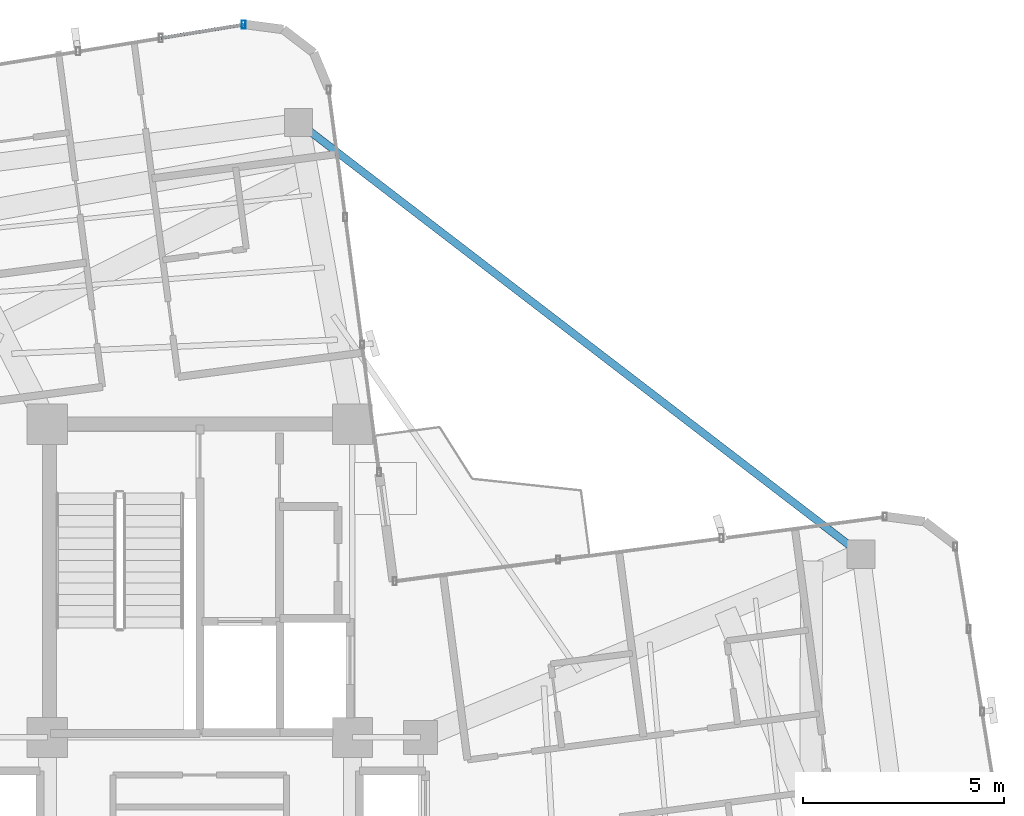
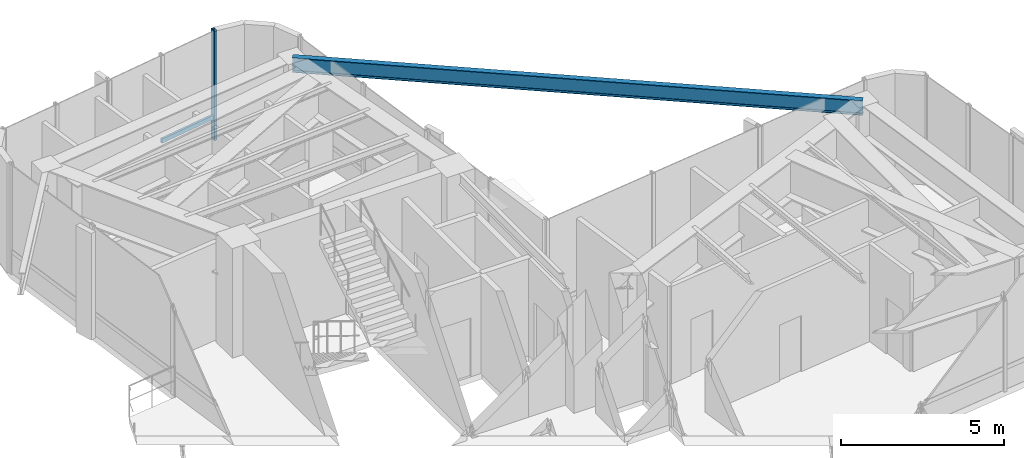
# One storey, part 11 of 18: 2 members, 1 beam, 1 element without a shape of its own.
"""IFC4 building model written with IfcOpenShell, lengths in metres."""

from ifc_helpers import new_model, si_unit, direction, frame, origin, origin_2d, place, context, subcontext, project, spatial, hollow_rectangle, i_section, extrude, source, transform, mapped, material, material_profile, profile_set, type_object, element, aggregate, save


model = new_model("IFC4")

# Units and contexts
model_context = context("Model", 3, precision=1e-05, world=origin(), true_north=direction((0.0, 1.0)))
body_context = subcontext(model_context, "Body", "Model", "MODEL_VIEW")
ifc_project = project(units=[si_unit("LENGTHUNIT", "METRE"), si_unit("AREAUNIT", "SQUARE_METRE"), si_unit("VOLUMEUNIT", "CUBIC_METRE"), si_unit("PLANEANGLEUNIT", "RADIAN"), si_unit("MASSUNIT", "GRAM", prefix="KILO")], contexts=[model_context])

# Site, building, storey
site_placement = place(None, origin())
site = spatial("IfcSite", under=ifc_project, at=site_placement, CompositionType="ELEMENT")
building_placement = place(site_placement, origin())
building = spatial("IfcBuilding", under=site, at=building_placement, Name="Sahyath Konkavel Grand Hotel", CompositionType="ELEMENT")
storey_placement = place(building_placement, frame((0.0, 0.0, 275.800048828125)))
storey = spatial("IfcBuildingStorey", under=building, at=storey_placement, Name="L77", CompositionType="ELEMENT", Elevation=275.800048828125)

# Beam
ifc_material_1 = material(Name="Steel E350", Category="steel")
ifc_material_profile_1 = material_profile(ifc_material_1, i_section(OverallWidth=0.18994140625, OverallDepth=0.550048828125, WebThickness=0.01123046875, FlangeThickness=0.019287109375, FilletRadius=0.01806640625, at=origin_2d()), Name="ISMB 550")
ifc_profile_set_1 = profile_set([ifc_material_profile_1], Name="Steel E350")
beam_type = type_object("IfcBeamType", Name="BM-ISMB550", PredefinedType="BEAM", material=ifc_profile_set_1)
shared_shape_1 = source(origin(), body_context, "Body", "SweptSolid", [
    extrude(i_section(OverallWidth=0.18994140625, OverallDepth=0.550048828125, WebThickness=0.01123046875, FlangeThickness=0.019287109375, FilletRadius=0.01806640625, at=origin_2d()), origin(), (0.0, 0.0, 1.0), 17.663330078125),
])
beam_placement = place(storey_placement, frame((16.472412109375, 6.959716796875, 3.824951171875), z_axis=(-0.793358692504, 0.608754453805, 0.0), x_axis=(-0.608754453805, -0.793358692504, 0.0)))
element("IfcBeam", 1, at=beam_placement, inside=storey, type_object=beam_type, Name="L77 Re-Entrant Tie Beam NE", PredefinedType="BEAM", context=body_context, shape_type="MappedRepresentation", body=[
    mapped(shared_shape_1, transform((0.0, 0.0, 0.0), scale=1.0)),
])

# Curtain wall, members
ifc_material_2 = material(Name="Anodised Bronze Aluminium & Low-E Glazing", Category="aluminium")
curtain_wall_type = type_object("IfcCurtainWallType", Name="CW-ZONE4", PredefinedType="NOTDEFINED", material=ifc_material_2)
curtain_wall_placement = place(storey_placement, origin())
curtain_wall = element("IfcCurtainWall", 2, at=curtain_wall_placement, inside=storey, type_object=curtain_wall_type, Name="L77 Unitised Curtain Wall F12", PredefinedType="NOTDEFINED")
ifc_material_3 = material(Name="Anodised Bronze Aluminium", Category="aluminium")
ifc_material_profile_2 = material_profile(ifc_material_3, hollow_rectangle(XDim=0.10009765625, YDim=0.199951171875, WallThickness=0.008056640625, at=origin_2d()), Name="RHS 200x100x8")
ifc_profile_set_2 = profile_set([ifc_material_profile_2], Name="Anodised Bronze Aluminium")
member_type_1 = type_object("IfcMemberType", Name="CW-MUL-200", PredefinedType="MULLION", material=ifc_profile_set_2)
shared_shape_2 = source(origin(), body_context, "Body", "SweptSolid", [
    extrude(hollow_rectangle(XDim=0.10009765625, YDim=0.199951171875, WallThickness=0.008056640625, at=origin_2d()), origin(), (0.0, 0.0, 1.0), 4.099853515625),
])
member_1_placement = place(storey_placement, frame((1.0888671875, 20.1533203125, 0.0), z_axis=(0.0, 0.0, 1.0), x_axis=(1.0, 0.0, 0.0)))
member_1 = element("IfcMember", 3, at=member_1_placement, type_object=member_type_1, Name="L77 Curtain Wall Mullion F12-0", PredefinedType="MULLION", context=body_context, shape_type="MappedRepresentation", body=[
    mapped(shared_shape_2, transform((0.0, 0.0, 0.0), scale=1.0)),
])
ifc_material_profile_3 = material_profile(ifc_material_3, hollow_rectangle(XDim=0.080078125, YDim=0.159912109375, WallThickness=0.006103515625, at=origin_2d()), Name="RHS 160x80x6")
ifc_profile_set_3 = profile_set([ifc_material_profile_3], Name="Anodised Bronze Aluminium")
member_type_2 = type_object("IfcMemberType", Name="CW-TRN-160", PredefinedType="USERDEFINED", material=ifc_profile_set_3)
shared_shape_3 = source(origin(), body_context, "Body", "SweptSolid", [
    extrude(hollow_rectangle(XDim=0.080078125, YDim=0.159912109375, WallThickness=0.006103515625, at=origin_2d()), origin(), (0.0, 0.0, 1.0), 2.08740234375),
])
member_2_placement = place(storey_placement, frame((1.0888671875, 20.1533203125, 0.849853515625), z_axis=(-0.98719124923, -0.159541334591, 0.0), x_axis=(0.159541334591, -0.98719124923, 0.0)))
member_2 = element("IfcMember", 4, at=member_2_placement, type_object=member_type_2, Name="L77 Curtain Wall Transom F12-0-spandrel", ObjectType="TRANSOM", PredefinedType="USERDEFINED", context=body_context, shape_type="MappedRepresentation", body=[
    mapped(shared_shape_3, transform((0.0, 0.0, 0.0), scale=1.0)),
])
aggregate(curtain_wall, [member_1, member_2])

save(model, "model.ifc")
